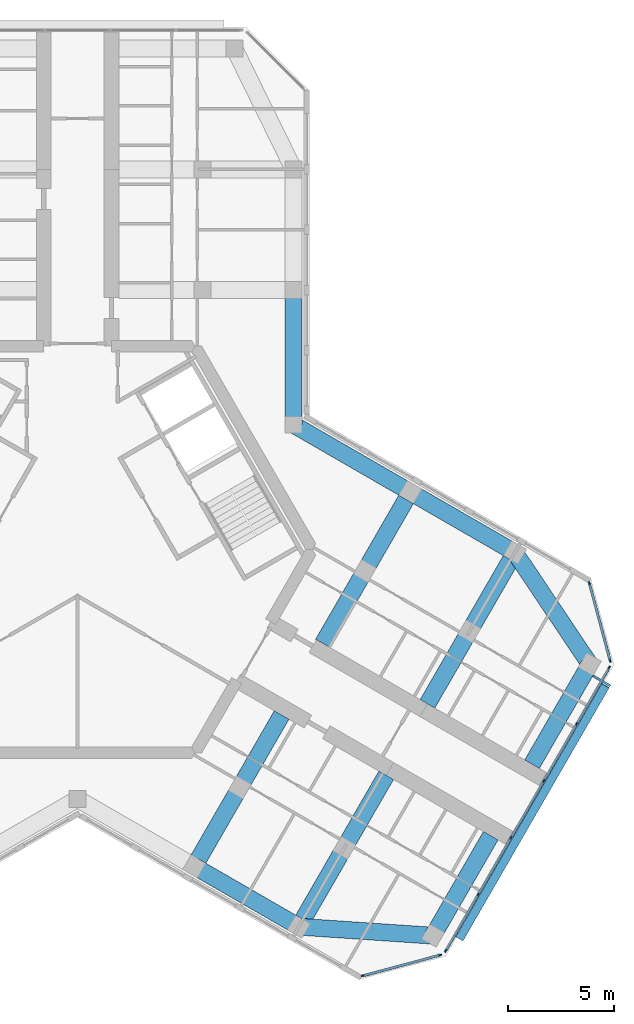
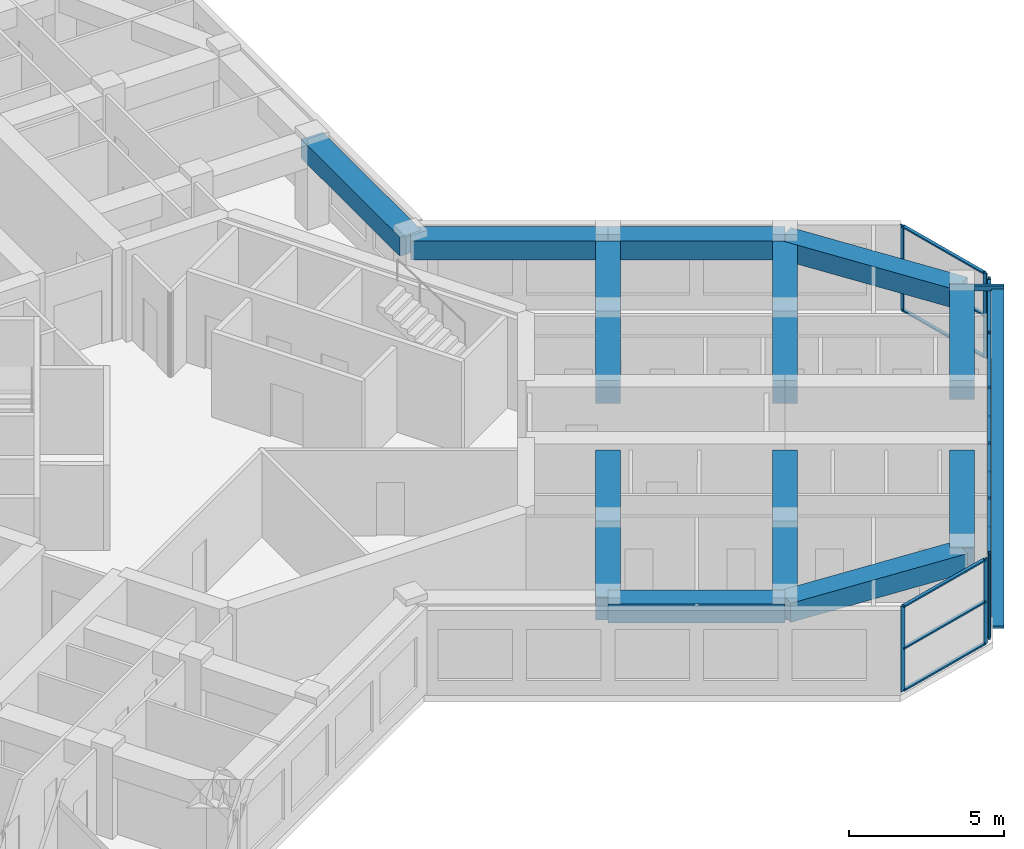
# One storey, part 4 of 14: 28 members, 12 beams, 3 elements without a shape of their own.
"""IFC4 building model written with IfcOpenShell, lengths in metres."""

from ifc_helpers import new_model, si_unit, direction, frame, origin, origin_2d, place, context, subcontext, project, spatial, rectangle, hollow_rectangle, extrude, material, material_profile, profile_set, type_object, element, aggregate, save


model = new_model("IFC4")

# Units and contexts
model_context = context("Model", 3, precision=1e-05, world=origin(), true_north=direction((0.0, 1.0)))
body_context = subcontext(model_context, "Body", "Model", "MODEL_VIEW")
ifc_project = project(units=[si_unit("LENGTHUNIT", "METRE"), si_unit("AREAUNIT", "SQUARE_METRE"), si_unit("VOLUMEUNIT", "CUBIC_METRE"), si_unit("PLANEANGLEUNIT", "RADIAN"), si_unit("MASSUNIT", "GRAM", prefix="KILO")], contexts=[model_context])

# Site, building, storey
site_placement = place(None, origin())
site = spatial("IfcSite", under=ifc_project, at=site_placement, CompositionType="ELEMENT")
building_placement = place(site_placement, origin())
building = spatial("IfcBuilding", under=site, at=building_placement, Name="Kosmar Iwan School Tower", CompositionType="ELEMENT")
storey_placement = place(building_placement, frame((0.0, 0.0, 278.199951171875)))
storey = spatial("IfcBuildingStorey", under=building, at=storey_placement, Name="L70", CompositionType="ELEMENT", Elevation=278.199951171875)

# Members
ifc_material_1 = material(Name="Black anodised aluminium", Category="aluminium")
ifc_material_profile_1 = material_profile(ifc_material_1, rectangle(XDim=0.10009765625, YDim=0.39990234375, at=origin_2d()), Name="FIN 100x400")
ifc_profile_set_1 = profile_set([ifc_material_profile_1], Name="Black anodised aluminium")
member_type_1 = type_object("IfcMemberType", Name="Diagonal fin 100x400", PredefinedType="USERDEFINED", material=ifc_profile_set_1)
member_1_placement = place(storey_placement, frame((18.0283203125, -18.3740234375, -0.14990234375), z_axis=(0.483802480126, 0.837968840024, 0.252474520243), x_axis=(-0.126237445008, -0.218649241594, 0.967603543104)))
element("IfcMember", 1, at=member_1_placement, inside=storey, type_object=member_type_1, Name="Diagonal fin L70-F03", ObjectType="FIN", PredefinedType="USERDEFINED", context=body_context, shape_type="SweptSolid", body=[
    extrude(rectangle(XDim=0.10009765625, YDim=0.39990234375, at=origin_2d()), origin(), (0.0, 0.0, 1.0), 14.25830078125),
])
ifc_material_2 = material(Name="Steel S355", Category="steel")
ifc_material_profile_2 = material_profile(ifc_material_2, hollow_rectangle(XDim=0.10009765625, YDim=0.199951171875, WallThickness=0.008056640625, at=origin_2d()), Name="RHS 200x100x8")
ifc_profile_set_2 = profile_set([ifc_material_profile_2], Name="Steel S355")
member_type_2 = type_object("IfcMemberType", Name="Fin bracket RHS 200x100", PredefinedType="USERDEFINED", material=ifc_profile_set_2)
member_2_placement = place(storey_placement, frame((24.327880859375, -5.962890625, 3.47509765625), z_axis=(0.866100000774, -0.49987077196, 0.0), x_axis=(0.49987077196, 0.866100000774, 0.0)))
element("IfcMember", 2, at=member_2_placement, inside=storey, type_object=member_type_2, Name="Fin bracket L71", ObjectType="FIN BRACKET", PredefinedType="USERDEFINED", context=body_context, shape_type="SweptSolid", body=[
    extrude(hollow_rectangle(XDim=0.10009765625, YDim=0.199951171875, WallThickness=0.008056640625, at=origin_2d()), origin(), (0.0, 0.0, 1.0), 0.949951171875),
])

# Curtain wall, members
ifc_material_3 = material(Name="Dark glass in black aluminium frame", Category="aluminium")
curtain_wall_type_1 = type_object("IfcCurtainWallType", Name="Chamfer curtain wall dark glass", PredefinedType="USERDEFINED", material=ifc_material_3)
curtain_wall_1_placement = place(storey_placement, origin())
curtain_wall_1 = element("IfcCurtainWall", 3, at=curtain_wall_1_placement, inside=storey, type_object=curtain_wall_type_1, Name="Curtain wall L70-F02", ObjectType="FACETED CURTAIN WALL", PredefinedType="USERDEFINED")
ifc_material_4 = material(Name="Black anodised aluminium", Category="aluminium")
ifc_material_profile_3 = material_profile(ifc_material_4, rectangle(XDim=0.06005859375, YDim=0.159912109375, at=origin_2d()), Name="MULLION 60x160")
ifc_profile_set_3 = profile_set([ifc_material_profile_3], Name="Black anodised aluminium")
member_type_3 = type_object("IfcMemberType", Name="Mullion 60x160", PredefinedType="MULLION", material=ifc_profile_set_3)
member_3_placement = place(storey_placement, frame((13.466064453125, -20.127197265625, 0.0), z_axis=(0.0, 0.0, 1.0), x_axis=(-0.258818861462, 0.965925875495, 0.0)))
member_3 = element("IfcMember", 4, at=member_3_placement, type_object=member_type_3, Name="CW2 mullion 1", PredefinedType="MULLION", context=body_context, shape_type="SweptSolid", body=[
    extrude(rectangle(XDim=0.06005859375, YDim=0.159912109375, at=origin_2d()), origin(), (0.0, 0.0, 1.0), 3.35009765625),
])
member_4_placement = place(storey_placement, frame((17.1162109375, -19.149169921875, 0.0), z_axis=(0.0, 0.0, 1.0), x_axis=(-0.258818861462, 0.965925875495, 0.0)))
member_4 = element("IfcMember", 5, at=member_4_placement, type_object=member_type_3, Name="CW2 mullion 2", PredefinedType="MULLION", context=body_context, shape_type="SweptSolid", body=[
    extrude(rectangle(XDim=0.06005859375, YDim=0.159912109375, at=origin_2d()), origin(), (0.0, 0.0, 1.0), 3.35009765625),
])

ifc_material_5 = material(Name="Dark glass in black aluminium frame", Category="aluminium")
curtain_wall_type_2 = type_object("IfcCurtainWallType", Name="Tower curtain wall dark glass", PredefinedType="USERDEFINED", material=ifc_material_5)
curtain_wall_2_placement = place(storey_placement, origin())
curtain_wall_2 = element("IfcCurtainWall", 6, at=curtain_wall_2_placement, inside=storey, type_object=curtain_wall_type_2, Name="Curtain wall L70-F03", ObjectType="UNITISED CURTAIN WALL", PredefinedType="USERDEFINED")
member_5_placement = place(storey_placement, frame((17.380126953125, -18.94677734375, 0.0), z_axis=(0.0, 0.0, 1.0), x_axis=(-0.866025405329, 0.499999997325, 0.0)))
member_5 = element("IfcMember", 7, at=member_5_placement, type_object=member_type_3, Name="CW1 mullion 1", PredefinedType="MULLION", context=body_context, shape_type="SweptSolid", body=[
    extrude(rectangle(XDim=0.06005859375, YDim=0.159912109375, at=origin_2d()), origin(), (0.0, 0.0, 1.0), 3.35009765625),
])
member_6_placement = place(storey_placement, frame((18.914794921875, -16.28857421875, 0.0), z_axis=(0.0, 0.0, 1.0), x_axis=(-0.866025405329, 0.499999997325, 0.0)))
member_6 = element("IfcMember", 8, at=member_6_placement, type_object=member_type_3, Name="CW1 mullion 2", PredefinedType="MULLION", context=body_context, shape_type="SweptSolid", body=[
    extrude(rectangle(XDim=0.06005859375, YDim=0.159912109375, at=origin_2d()), origin(), (0.0, 0.0, 1.0), 3.35009765625),
])
member_7_placement = place(storey_placement, frame((20.46435546875, -13.6044921875, 0.0), z_axis=(0.0, 0.0, 1.0), x_axis=(-0.866025405329, 0.499999997325, 0.0)))
member_7 = element("IfcMember", 9, at=member_7_placement, type_object=member_type_3, Name="CW1 mullion 3", PredefinedType="MULLION", context=body_context, shape_type="SweptSolid", body=[
    extrude(rectangle(XDim=0.06005859375, YDim=0.159912109375, at=origin_2d()), origin(), (0.0, 0.0, 1.0), 3.35009765625),
])
member_8_placement = place(storey_placement, frame((22.01416015625, -10.92041015625, 0.0), z_axis=(0.0, 0.0, 1.0), x_axis=(-0.866025405329, 0.499999997325, 0.0)))
member_8 = element("IfcMember", 10, at=member_8_placement, type_object=member_type_3, Name="CW1 mullion 4", PredefinedType="MULLION", context=body_context, shape_type="SweptSolid", body=[
    extrude(rectangle(XDim=0.06005859375, YDim=0.159912109375, at=origin_2d()), origin(), (0.0, 0.0, 1.0), 3.35009765625),
])
member_9_placement = place(storey_placement, frame((23.563720703125, -8.236328125, 0.0), z_axis=(0.0, 0.0, 1.0), x_axis=(-0.866025405329, 0.499999997325, 0.0)))
member_9 = element("IfcMember", 11, at=member_9_placement, type_object=member_type_3, Name="CW1 mullion 5", PredefinedType="MULLION", context=body_context, shape_type="SweptSolid", body=[
    extrude(rectangle(XDim=0.06005859375, YDim=0.159912109375, at=origin_2d()), origin(), (0.0, 0.0, 1.0), 3.35009765625),
])
member_10_placement = place(storey_placement, frame((25.098388671875, -5.578369140625, 0.0), z_axis=(0.0, 0.0, 1.0), x_axis=(-0.866025405329, 0.499999997325, 0.0)))
member_10 = element("IfcMember", 12, at=member_10_placement, type_object=member_type_3, Name="CW1 mullion 6", PredefinedType="MULLION", context=body_context, shape_type="SweptSolid", body=[
    extrude(rectangle(XDim=0.06005859375, YDim=0.159912109375, at=origin_2d()), origin(), (0.0, 0.0, 1.0), 3.35009765625),
])

curtain_wall_3_placement = place(storey_placement, origin())
curtain_wall_3 = element("IfcCurtainWall", 13, at=curtain_wall_3_placement, inside=storey, type_object=curtain_wall_type_1, Name="Curtain wall L70-F04", ObjectType="FACETED CURTAIN WALL", PredefinedType="USERDEFINED")
member_11_placement = place(storey_placement, frame((25.141845703125, -5.24853515625, 0.0), z_axis=(0.0, 0.0, 1.0), x_axis=(-0.965925875495, -0.258818861462, 0.0)))
member_11 = element("IfcMember", 14, at=member_11_placement, type_object=member_type_3, Name="CW2 mullion 1", PredefinedType="MULLION", context=body_context, shape_type="SweptSolid", body=[
    extrude(rectangle(XDim=0.06005859375, YDim=0.159912109375, at=origin_2d()), origin(), (0.0, 0.0, 1.0), 3.35009765625),
])
member_12_placement = place(storey_placement, frame((24.163818359375, -1.59814453125, 0.0), z_axis=(0.0, 0.0, 1.0), x_axis=(-0.965925875495, -0.258818861462, 0.0)))
member_12 = element("IfcMember", 15, at=member_12_placement, type_object=member_type_3, Name="CW2 mullion 2", PredefinedType="MULLION", context=body_context, shape_type="SweptSolid", body=[
    extrude(rectangle(XDim=0.06005859375, YDim=0.159912109375, at=origin_2d()), origin(), (0.0, 0.0, 1.0), 3.35009765625),
])

# Beams
ifc_material_6 = material(Name="Concrete C50/60", Category="concrete")
ifc_material_profile_4 = material_profile(ifc_material_6, rectangle(XDim=0.800048828125, YDim=0.75, at=origin_2d()), Name="RC 800x750")
ifc_profile_set_4 = profile_set([ifc_material_profile_4], Name="Concrete C50/60")
beam_type_1 = type_object("IfcBeamType", Name="RC edge beam 800x750", PredefinedType="BEAM", material=ifc_profile_set_4)
beam_1_placement = place(storey_placement, frame((10.199951171875, 5.888916015625, 2.97509765625), z_axis=(0.0, 1.0, 0.0), x_axis=(-1.0, 0.0, 0.0)))
element("IfcBeam", 16, at=beam_1_placement, inside=storey, type_object=beam_type_1, Name="Edge beam AR1", PredefinedType="BEAM", context=body_context, shape_type="SweptSolid", body=[
    extrude(rectangle(XDim=0.800048828125, YDim=0.75, at=origin_2d()), origin(), (0.0, 0.0, 1.0), 6.361083984375),
])
beam_2_placement = place(storey_placement, frame((10.199951171875, 5.888916015625, 2.97509765625), z_axis=(0.866030912664, -0.49999045822, 0.0), x_axis=(0.49999045822, 0.866030912664, 0.0)))
element("IfcBeam", 17, at=beam_2_placement, inside=storey, type_object=beam_type_1, Name="Edge beam CL1", PredefinedType="BEAM", context=body_context, shape_type="SweptSolid", body=[
    extrude(rectangle(XDim=0.800048828125, YDim=0.75, at=origin_2d()), origin(), (0.0, 0.0, 1.0), 6.36083984375),
])
beam_3_placement = place(storey_placement, frame((15.708740234375, 2.70849609375, 2.97509765625), z_axis=(0.866025820012, -0.499999279071, 0.0), x_axis=(0.499999279071, 0.866025820012, 0.0)))
element("IfcBeam", 18, at=beam_3_placement, inside=storey, type_object=beam_type_1, Name="Edge beam CL2", PredefinedType="BEAM", context=body_context, shape_type="SweptSolid", body=[
    extrude(rectangle(XDim=0.800048828125, YDim=0.75, at=origin_2d()), origin(), (0.0, 0.0, 1.0), 5.7001953125),
])
beam_4_placement = place(storey_placement, frame((5.5087890625, -14.95849609375, 2.97509765625), z_axis=(0.866033658841, -0.49998570155, 0.0), x_axis=(0.49998570155, 0.866033658841, 0.0)))
element("IfcBeam", 19, at=beam_4_placement, inside=storey, type_object=beam_type_1, Name="Edge beam CR2", PredefinedType="BEAM", context=body_context, shape_type="SweptSolid", body=[
    extrude(rectangle(XDim=0.800048828125, YDim=0.75, at=origin_2d()), origin(), (0.0, 0.0, 1.0), 5.699951171875),
])
ifc_material_7 = material(Name="Concrete C50/60", Category="concrete")
ifc_material_profile_5 = material_profile(ifc_material_7, rectangle(XDim=0.800048828125, YDim=0.75, at=origin_2d()), Name="RC 800x750")
ifc_profile_set_5 = profile_set([ifc_material_profile_5], Name="Concrete C50/60")
beam_type_2 = type_object("IfcBeamType", Name="RC tip beam 800x750", PredefinedType="BEAM", material=ifc_profile_set_5)
beam_5_placement = place(storey_placement, frame((20.645263671875, -0.1416015625, 2.97509765625), z_axis=(0.556827604145, -0.83062808721, 0.0), x_axis=(0.83062808721, 0.556827604145, 0.0)))
element("IfcBeam", 20, at=beam_5_placement, inside=storey, type_object=beam_type_2, Name="Tip beam CL", PredefinedType="BEAM", context=body_context, shape_type="SweptSolid", body=[
    extrude(rectangle(XDim=0.800048828125, YDim=0.75, at=origin_2d()), origin(), (0.0, 0.0, 1.0), 6.3505859375),
])
beam_6_placement = place(storey_placement, frame((24.181396484375, -5.41650390625, 2.97509765625), z_axis=(-0.499988730927, -0.866031909889, 0.0), x_axis=(0.866031909889, -0.499988730927, 0.0)))
element("IfcBeam", 21, at=beam_6_placement, inside=storey, type_object=beam_type_2, Name="Tip beam CL to corridor wall", PredefinedType="BEAM", context=body_context, shape_type="SweptSolid", body=[
    extrude(rectangle(XDim=0.800048828125, YDim=0.75, at=origin_2d()), origin(), (0.0, 0.0, 1.0), 5.449951171875),
])
beam_7_placement = place(storey_placement, frame((10.445068359375, -17.808349609375, 2.97509765625), z_axis=(0.997755118724, -0.066968074933, 0.0), x_axis=(0.066968074933, 0.997755118724, 0.0)))
element("IfcBeam", 22, at=beam_7_placement, inside=storey, type_object=beam_type_2, Name="Tip beam CR", PredefinedType="BEAM", context=body_context, shape_type="SweptSolid", body=[
    extrude(rectangle(XDim=0.800048828125, YDim=0.75, at=origin_2d()), origin(), (0.0, 0.0, 1.0), 6.3505859375),
])
beam_8_placement = place(storey_placement, frame((16.781494140625, -18.233642578125, 2.97509765625), z_axis=(0.500002931134, 0.866023711487, 0.0), x_axis=(-0.866023711487, 0.500002931134, 0.0)))
element("IfcBeam", 23, at=beam_8_placement, inside=storey, type_object=beam_type_2, Name="Tip beam CR to corridor wall", PredefinedType="BEAM", context=body_context, shape_type="SweptSolid", body=[
    extrude(rectangle(XDim=0.800048828125, YDim=0.75, at=origin_2d()), origin(), (0.0, 0.0, 1.0), 5.4501953125),
])
ifc_material_8 = material(Name="Concrete C50/60", Category="concrete")
ifc_material_profile_6 = material_profile(ifc_material_8, rectangle(XDim=0.800048828125, YDim=0.89990234375, at=origin_2d()), Name="RC 800x900")
ifc_profile_set_6 = profile_set([ifc_material_profile_6], Name="Concrete C50/60")
beam_type_3 = type_object("IfcBeamType", Name="RC transverse beam 800x900", PredefinedType="BEAM", material=ifc_profile_set_6)
beam_9_placement = place(storey_placement, frame((15.708740234375, 2.70849609375, 2.900146484375), z_axis=(-0.499996545922, -0.866027397988, 0.0), x_axis=(0.866027397988, -0.499996545922, 0.0)))
element("IfcBeam", 24, at=beam_9_placement, inside=storey, type_object=beam_type_3, Name="Transverse beam CL1", PredefinedType="BEAM", context=body_context, shape_type="SweptSolid", body=[
    extrude(rectangle(XDim=0.800048828125, YDim=0.89990234375, at=origin_2d()), origin(), (0.0, 0.0, 1.0), 8.25),
])
beam_10_placement = place(storey_placement, frame((20.645263671875, -0.1416015625, 2.900146484375), z_axis=(-0.500009360108, -0.866019999656, 0.0), x_axis=(0.866019999656, -0.500009360108, 0.0)))
element("IfcBeam", 25, at=beam_10_placement, inside=storey, type_object=beam_type_3, Name="Transverse beam CL2", PredefinedType="BEAM", context=body_context, shape_type="SweptSolid", body=[
    extrude(rectangle(XDim=0.800048828125, YDim=0.89990234375, at=origin_2d()), origin(), (0.0, 0.0, 1.0), 8.249755859375),
])
beam_11_placement = place(storey_placement, frame((5.5087890625, -14.95849609375, 2.900146484375), z_axis=(0.499996545922, 0.866027397988, 0.0), x_axis=(-0.866027397988, 0.499996545922, 0.0)))
element("IfcBeam", 26, at=beam_11_placement, inside=storey, type_object=beam_type_3, Name="Transverse beam CR1", PredefinedType="BEAM", context=body_context, shape_type="SweptSolid", body=[
    extrude(rectangle(XDim=0.800048828125, YDim=0.89990234375, at=origin_2d()), origin(), (0.0, 0.0, 1.0), 8.25),
])
beam_12_placement = place(storey_placement, frame((10.445068359375, -17.808349609375, 2.900146484375), z_axis=(0.500009360108, 0.866019999656, 0.0), x_axis=(-0.866019999656, 0.500009360108, 0.0)))
element("IfcBeam", 27, at=beam_12_placement, inside=storey, type_object=beam_type_3, Name="Transverse beam CR2", PredefinedType="BEAM", context=body_context, shape_type="SweptSolid", body=[
    extrude(rectangle(XDim=0.800048828125, YDim=0.89990234375, at=origin_2d()), origin(), (0.0, 0.0, 1.0), 8.249755859375),
])

# Member
ifc_material_9 = material(Name="Black anodised aluminium", Category="aluminium")
ifc_material_profile_7 = material_profile(ifc_material_9, rectangle(XDim=0.1201171875, YDim=0.06005859375, at=origin_2d()), Name="TRANSOM 60x120")
ifc_profile_set_7 = profile_set([ifc_material_profile_7], Name="Black anodised aluminium")
member_type_4 = type_object("IfcMemberType", Name="Transom 60x120", PredefinedType="USERDEFINED", material=ifc_profile_set_7)
member_13_placement = place(storey_placement, frame((13.494873046875, -20.119384765625, 0.030029296875), z_axis=(0.965940141052, 0.258765615768, 0.0), x_axis=(-0.258765615768, 0.965940141052, 0.0)))
member_13 = element("IfcMember", 28, at=member_13_placement, type_object=member_type_4, Name="CW2 transom 1.1", ObjectType="TRANSOM", PredefinedType="USERDEFINED", context=body_context, shape_type="SweptSolid", body=[
    extrude(rectangle(XDim=0.1201171875, YDim=0.06005859375, at=origin_2d()), origin(), (0.0, 0.0, 1.0), 3.71923828125),
])

member_14_placement = place(storey_placement, frame((13.494873046875, -20.119384765625, 1.675048828125), z_axis=(0.965940141052, 0.258765615768, 0.0), x_axis=(-0.258765615768, 0.965940141052, 0.0)))
member_14 = element("IfcMember", 29, at=member_14_placement, type_object=member_type_4, Name="CW2 transom 1.2", ObjectType="TRANSOM", PredefinedType="USERDEFINED", context=body_context, shape_type="SweptSolid", body=[
    extrude(rectangle(XDim=0.1201171875, YDim=0.06005859375, at=origin_2d()), origin(), (0.0, 0.0, 1.0), 3.71923828125),
])

member_15_placement = place(storey_placement, frame((13.494873046875, -20.119384765625, 3.320068359375), z_axis=(0.965940141052, 0.258765615768, 0.0), x_axis=(-0.258765615768, 0.965940141052, 0.0)))
member_15 = element("IfcMember", 30, at=member_15_placement, type_object=member_type_4, Name="CW2 transom 1.3", ObjectType="TRANSOM", PredefinedType="USERDEFINED", context=body_context, shape_type="SweptSolid", body=[
    extrude(rectangle(XDim=0.1201171875, YDim=0.06005859375, at=origin_2d()), origin(), (0.0, 0.0, 1.0), 3.71923828125),
])

aggregate(curtain_wall_1, [member_3, member_4, member_13, member_14, member_15])

member_16_placement = place(storey_placement, frame((17.395263671875, -18.920654296875, 0.030029296875), z_axis=(0.500022102064, 0.866012642776, 0.0), x_axis=(-0.866012642776, 0.500022102064, 0.0)))
member_16 = element("IfcMember", 31, at=member_16_placement, type_object=member_type_4, Name="CW1 transom 1.1", ObjectType="TRANSOM", PredefinedType="USERDEFINED", context=body_context, shape_type="SweptSolid", body=[
    extrude(rectangle(XDim=0.1201171875, YDim=0.06005859375, at=origin_2d()), origin(), (0.0, 0.0, 1.0), 3.009033203125),
])

member_17_placement = place(storey_placement, frame((17.395263671875, -18.920654296875, 3.320068359375), z_axis=(0.500022102064, 0.866012642776, 0.0), x_axis=(-0.866012642776, 0.500022102064, 0.0)))
member_17 = element("IfcMember", 32, at=member_17_placement, type_object=member_type_4, Name="CW1 transom 1.2", ObjectType="TRANSOM", PredefinedType="USERDEFINED", context=body_context, shape_type="SweptSolid", body=[
    extrude(rectangle(XDim=0.1201171875, YDim=0.06005859375, at=origin_2d()), origin(), (0.0, 0.0, 1.0), 3.009033203125),
])

member_18_placement = place(storey_placement, frame((18.9296875, -16.2626953125, 0.030029296875), z_axis=(0.500035348339, 0.866004994449, 0.0), x_axis=(-0.866004994449, 0.500035348339, 0.0)))
member_18 = element("IfcMember", 33, at=member_18_placement, type_object=member_type_4, Name="CW1 transom 2.1", ObjectType="TRANSOM", PredefinedType="USERDEFINED", context=body_context, shape_type="SweptSolid", body=[
    extrude(rectangle(XDim=0.1201171875, YDim=0.06005859375, at=origin_2d()), origin(), (0.0, 0.0, 1.0), 3.039306640625),
])

member_19_placement = place(storey_placement, frame((18.9296875, -16.2626953125, 3.320068359375), z_axis=(0.500035348339, 0.866004994449, 0.0), x_axis=(-0.866004994449, 0.500035348339, 0.0)))
member_19 = element("IfcMember", 34, at=member_19_placement, type_object=member_type_4, Name="CW1 transom 2.2", ObjectType="TRANSOM", PredefinedType="USERDEFINED", context=body_context, shape_type="SweptSolid", body=[
    extrude(rectangle(XDim=0.1201171875, YDim=0.06005859375, at=origin_2d()), origin(), (0.0, 0.0, 1.0), 3.039306640625),
])

member_20_placement = place(storey_placement, frame((20.4794921875, -13.57861328125, 0.030029296875), z_axis=(0.499975102327, 0.866039777986, 0.0), x_axis=(-0.866039777986, 0.499975102327, 0.0)))
member_20 = element("IfcMember", 35, at=member_20_placement, type_object=member_type_4, Name="CW1 transom 3.1", ObjectType="TRANSOM", PredefinedType="USERDEFINED", context=body_context, shape_type="SweptSolid", body=[
    extrude(rectangle(XDim=0.1201171875, YDim=0.06005859375, at=origin_2d()), origin(), (0.0, 0.0, 1.0), 3.039306640625),
])

member_21_placement = place(storey_placement, frame((20.4794921875, -13.57861328125, 3.320068359375), z_axis=(0.499975102327, 0.866039777986, 0.0), x_axis=(-0.866039777986, 0.499975102327, 0.0)))
member_21 = element("IfcMember", 36, at=member_21_placement, type_object=member_type_4, Name="CW1 transom 3.2", ObjectType="TRANSOM", PredefinedType="USERDEFINED", context=body_context, shape_type="SweptSolid", body=[
    extrude(rectangle(XDim=0.1201171875, YDim=0.06005859375, at=origin_2d()), origin(), (0.0, 0.0, 1.0), 3.039306640625),
])

member_22_placement = place(storey_placement, frame((22.029052734375, -10.89453125, 0.030029296875), z_axis=(0.500035348339, 0.866004994449, 0.0), x_axis=(-0.866004994449, 0.500035348339, 0.0)))
member_22 = element("IfcMember", 37, at=member_22_placement, type_object=member_type_4, Name="CW1 transom 4.1", ObjectType="TRANSOM", PredefinedType="USERDEFINED", context=body_context, shape_type="SweptSolid", body=[
    extrude(rectangle(XDim=0.1201171875, YDim=0.06005859375, at=origin_2d()), origin(), (0.0, 0.0, 1.0), 3.039306640625),
])

member_23_placement = place(storey_placement, frame((22.029052734375, -10.89453125, 3.320068359375), z_axis=(0.500035348339, 0.866004994449, 0.0), x_axis=(-0.866004994449, 0.500035348339, 0.0)))
member_23 = element("IfcMember", 38, at=member_23_placement, type_object=member_type_4, Name="CW1 transom 4.2", ObjectType="TRANSOM", PredefinedType="USERDEFINED", context=body_context, shape_type="SweptSolid", body=[
    extrude(rectangle(XDim=0.1201171875, YDim=0.06005859375, at=origin_2d()), origin(), (0.0, 0.0, 1.0), 3.039306640625),
])

member_24_placement = place(storey_placement, frame((23.578857421875, -8.21044921875, 0.030029296875), z_axis=(0.499986971506, 0.866032925658, 0.0), x_axis=(-0.866032925658, 0.499986971506, 0.0)))
member_24 = element("IfcMember", 39, at=member_24_placement, type_object=member_type_4, Name="CW1 transom 5.1", ObjectType="TRANSOM", PredefinedType="USERDEFINED", context=body_context, shape_type="SweptSolid", body=[
    extrude(rectangle(XDim=0.1201171875, YDim=0.06005859375, at=origin_2d()), origin(), (0.0, 0.0, 1.0), 3.00927734375),
])

member_25_placement = place(storey_placement, frame((23.578857421875, -8.21044921875, 3.320068359375), z_axis=(0.499986971506, 0.866032925658, 0.0), x_axis=(-0.866032925658, 0.499986971506, 0.0)))
member_25 = element("IfcMember", 40, at=member_25_placement, type_object=member_type_4, Name="CW1 transom 5.2", ObjectType="TRANSOM", PredefinedType="USERDEFINED", context=body_context, shape_type="SweptSolid", body=[
    extrude(rectangle(XDim=0.1201171875, YDim=0.06005859375, at=origin_2d()), origin(), (0.0, 0.0, 1.0), 3.00927734375),
])

aggregate(curtain_wall_2, [member_5, member_6, member_7, member_8, member_9, member_10, member_16, member_17, member_18, member_19, member_20, member_21, member_22, member_23, member_24, member_25])

member_26_placement = place(storey_placement, frame((25.134033203125, -5.219482421875, 0.030029296875), z_axis=(-0.258843273983, 0.965919333854, 0.0), x_axis=(-0.965919333854, -0.258843273983, 0.0)))
member_26 = element("IfcMember", 41, at=member_26_placement, type_object=member_type_4, Name="CW2 transom 1.1", ObjectType="TRANSOM", PredefinedType="USERDEFINED", context=body_context, shape_type="SweptSolid", body=[
    extrude(rectangle(XDim=0.1201171875, YDim=0.06005859375, at=origin_2d()), origin(), (0.0, 0.0, 1.0), 3.718994140625),
])

member_27_placement = place(storey_placement, frame((25.134033203125, -5.219482421875, 1.675048828125), z_axis=(-0.258843273983, 0.965919333854, 0.0), x_axis=(-0.965919333854, -0.258843273983, 0.0)))
member_27 = element("IfcMember", 42, at=member_27_placement, type_object=member_type_4, Name="CW2 transom 1.2", ObjectType="TRANSOM", PredefinedType="USERDEFINED", context=body_context, shape_type="SweptSolid", body=[
    extrude(rectangle(XDim=0.1201171875, YDim=0.06005859375, at=origin_2d()), origin(), (0.0, 0.0, 1.0), 3.718994140625),
])

member_28_placement = place(storey_placement, frame((25.134033203125, -5.219482421875, 3.320068359375), z_axis=(-0.258843273983, 0.965919333854, 0.0), x_axis=(-0.965919333854, -0.258843273983, 0.0)))
member_28 = element("IfcMember", 43, at=member_28_placement, type_object=member_type_4, Name="CW2 transom 1.3", ObjectType="TRANSOM", PredefinedType="USERDEFINED", context=body_context, shape_type="SweptSolid", body=[
    extrude(rectangle(XDim=0.1201171875, YDim=0.06005859375, at=origin_2d()), origin(), (0.0, 0.0, 1.0), 3.718994140625),
])

aggregate(curtain_wall_3, [member_11, member_12, member_26, member_27, member_28])

save(model, "model.ifc")
